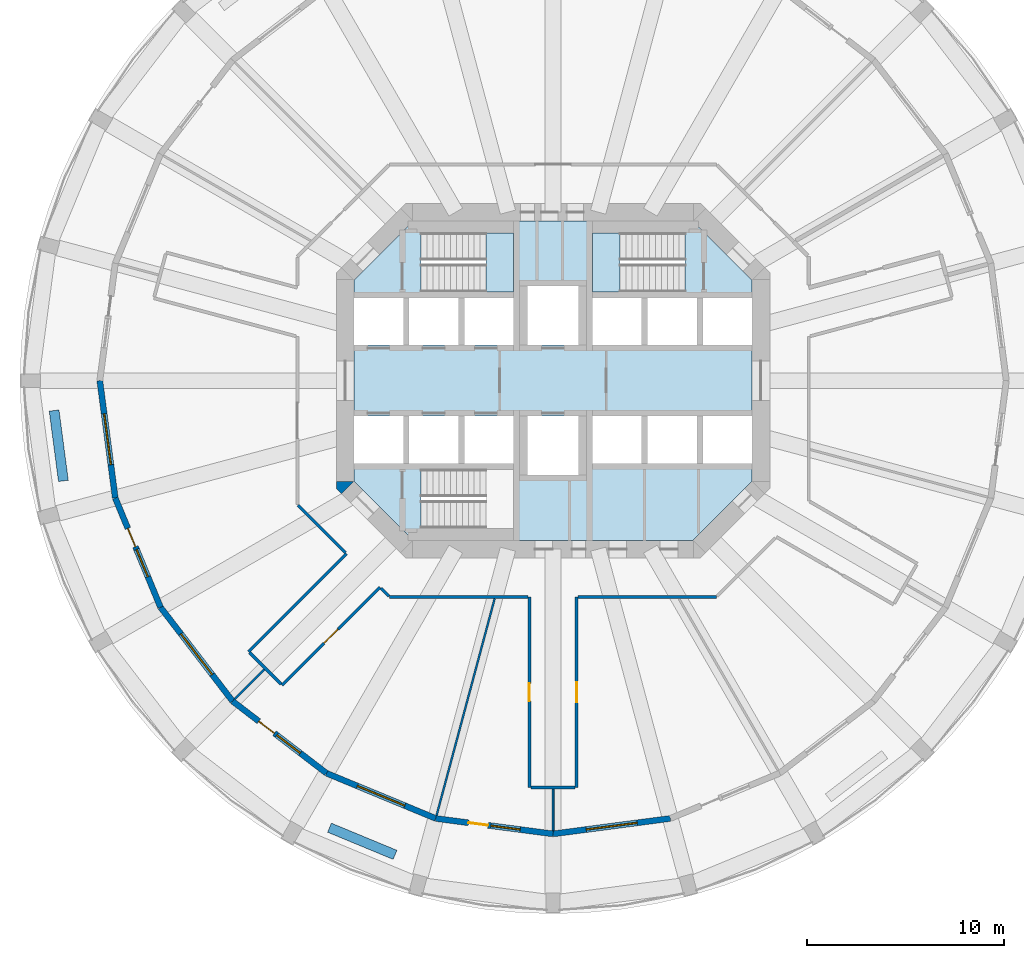
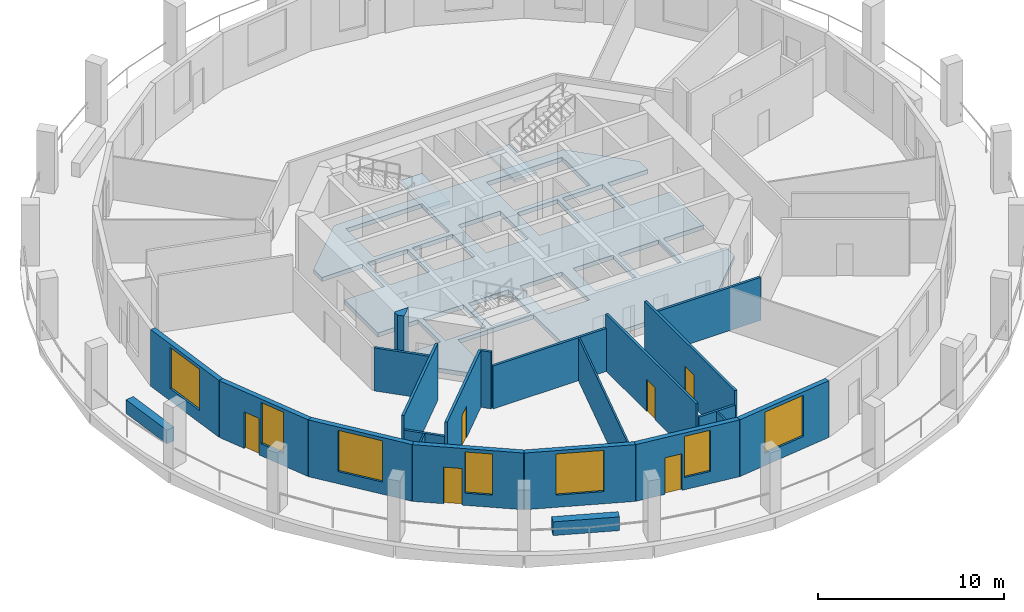
# One storey, part 2 of 9: 23 walls, 7 windows, 6 doors, 3 slabs, 13 openings, 2 elements without a shape of their own.
"""IFC4 building model written with IfcOpenShell, lengths in metres."""

from ifc_helpers import new_model, si_unit, direction, frame, frame_2d, origin, place, context, subcontext, project, spatial, polyline, rectangle, outline, extrude, material, layer, layer_set, type_object, element, fill, aggregate, save


model = new_model("IFC4")

# Units and contexts
model_context = context("Model", 3, precision=1e-05, world=origin(), true_north=direction((0.0, 1.0)))
body_context = subcontext(model_context, "Body", "Model", "MODEL_VIEW")
ifc_project = project(units=[si_unit("LENGTHUNIT", "METRE"), si_unit("AREAUNIT", "SQUARE_METRE"), si_unit("VOLUMEUNIT", "CUBIC_METRE"), si_unit("PLANEANGLEUNIT", "RADIAN"), si_unit("MASSUNIT", "GRAM", prefix="KILO")], contexts=[model_context])

# Site, building, storey
site_placement = place(None, origin())
site = spatial("IfcSite", under=ifc_project, at=site_placement, CompositionType="ELEMENT")
building_placement = place(site_placement, origin())
building = spatial("IfcBuilding", under=site, at=building_placement, Name="Torre Triforio", CompositionType="ELEMENT")
storey_placement = place(building_placement, frame((0.0, 0.0, 39.0)))
storey = spatial("IfcBuildingStorey", under=building, at=storey_placement, Name="L07", CompositionType="ELEMENT", Elevation=39.0)

# Slab
ifc_material_1 = material(Name="Concrete C60", Category="concrete")
ifc_layer_1 = layer(ifc_material_1, 0.280029296875)
ifc_layer_set_1 = layer_set([ifc_layer_1], Name="Concrete C60")
slab_type_1 = type_object("IfcSlabType", Name="Core floor slab 280 mm C60 REI 120", PredefinedType="FLOOR", material=ifc_layer_set_1)
slab_1_placement = place(storey_placement, frame((0.0, 0.0, -0.280029296875)))
element("IfcSlab", 1, at=slab_1_placement, inside=storey, type_object=slab_type_1, Name="Core floor slab", PredefinedType="FLOOR", context=body_context, shape_type="SweptSolid", body=[
    extrude(outline(polyline([(10.10009765625, -5.10009765625), (7.10009765625, -8.10009765625), (-7.10009765625, -8.10009765625), (-10.10009765625, -5.10009765625), (-10.10009765625, -4.199951171875), (-7.60009765625, -4.199951171875), (-7.60009765625, -1.800048828125), (-10.10009765625, -1.800048828125), (-10.10009765625, 1.800048828125), (-7.60009765625, 1.800048828125), (-7.60009765625, 4.199951171875), (-10.10009765625, 4.199951171875), (-10.10009765625, 5.10009765625), (-7.10009765625, 8.10009765625), (7.10009765625, 8.10009765625), (10.10009765625, 5.10009765625), (10.10009765625, 4.199951171875), (7.60009765625, 4.199951171875), (7.60009765625, 1.800048828125), (10.10009765625, 1.800048828125), (10.10009765625, -1.800048828125), (7.60009765625, -1.800048828125), (7.60009765625, -4.199951171875), (10.10009765625, -4.199951171875), (10.10009765625, -5.10009765625)]), holes=[polyline([(-2.0, -4.5), (-6.696044921875, -4.5), (-6.696044921875, -7.5), (-2.0, -7.5), (-2.0, -4.5)]), polyline([(-4.800048828125, -1.800048828125), (-7.300048828125, -1.800048828125), (-7.300048828125, -4.199951171875), (-4.800048828125, -4.199951171875), (-4.800048828125, -1.800048828125)]), polyline([(-2.0, -1.800048828125), (-4.5, -1.800048828125), (-4.5, -4.199951171875), (-2.0, -4.199951171875), (-2.0, -1.800048828125)]), polyline([(-4.800048828125, 4.199951171875), (-7.300048828125, 4.199951171875), (-7.300048828125, 1.800048828125), (-4.800048828125, 1.800048828125), (-4.800048828125, 4.199951171875)]), polyline([(-2.0, 4.199951171875), (-4.5, 4.199951171875), (-4.5, 1.800048828125), (-2.0, 1.800048828125), (-2.0, 4.199951171875)]), polyline([(1.300048828125, 4.800048828125), (-1.300048828125, 4.800048828125), (-1.300048828125, 1.800048828125), (1.300048828125, 1.800048828125), (1.300048828125, 4.800048828125)]), polyline([(-2.0, 7.5), (-6.696044921875, 7.5), (-6.696044921875, 4.5), (-2.0, 4.5), (-2.0, 7.5)]), polyline([(1.300048828125, -1.800048828125), (-1.300048828125, -1.800048828125), (-1.300048828125, -4.800048828125), (1.300048828125, -4.800048828125), (1.300048828125, -1.800048828125)]), polyline([(4.5, -1.800048828125), (2.0, -1.800048828125), (2.0, -4.199951171875), (4.5, -4.199951171875), (4.5, -1.800048828125)]), polyline([(7.300048828125, -1.800048828125), (4.800048828125, -1.800048828125), (4.800048828125, -4.199951171875), (7.300048828125, -4.199951171875), (7.300048828125, -1.800048828125)]), polyline([(4.5, 4.199951171875), (2.0, 4.199951171875), (2.0, 1.800048828125), (4.5, 1.800048828125), (4.5, 4.199951171875)]), polyline([(7.300048828125, 4.199951171875), (4.800048828125, 4.199951171875), (4.800048828125, 1.800048828125), (7.300048828125, 1.800048828125), (7.300048828125, 4.199951171875)]), polyline([(6.696044921875, 4.5), (6.696044921875, 7.5), (2.0, 7.5), (2.0, 4.5), (6.696044921875, 4.5)])]), origin(), (0.0, 0.0, 1.0), 0.280029296875),
])

# Stair, slab
ifc_material_2 = material(Name="Concrete C40", Category="concrete")
stair_type = type_object("IfcStairType", Name="STAIR HALF-TURN", PredefinedType="HALF_TURN_STAIR", material=ifc_material_2)
stair_1_placement = place(storey_placement, origin())
stair_1 = element("IfcStair", 2, at=stair_1_placement, inside=storey, type_object=stair_type, Name="Exit stair 1", PredefinedType="HALF_TURN_STAIR")
ifc_layer_2 = layer(ifc_material_2, 0.199951171875)
ifc_layer_set_2 = layer_set([ifc_layer_2], Name="Concrete C40")
slab_type_2 = type_object("IfcSlabType", Name="STAIR LANDING 200", PredefinedType="LANDING", material=ifc_layer_set_2)
slab_2_placement = place(storey_placement, frame((0.0, 0.0, 1.800048828125)))
slab_2 = element("IfcSlab", 3, at=slab_2_placement, type_object=slab_type_2, Name="ST1 landing 1", PredefinedType="LANDING", context=body_context, shape_type="SweptSolid", body=[
    extrude(outline(polyline([(-2.0, 4.5), (-2.0, 7.5), (-3.39990234375, 7.5), (-3.39990234375, 4.5), (-2.0, 4.5)])), origin(), (0.0, 0.0, 1.0), 0.199951171875),
])
aggregate(stair_1, [slab_2])

stair_2_placement = place(storey_placement, origin())
stair_2 = element("IfcStair", 4, at=stair_2_placement, inside=storey, type_object=stair_type, Name="Exit stair 2", PredefinedType="HALF_TURN_STAIR")
slab_3_placement = place(storey_placement, frame((0.0, 0.0, 1.800048828125)))
slab_3 = element("IfcSlab", 5, at=slab_3_placement, type_object=slab_type_2, Name="ST2 landing 1", PredefinedType="LANDING", context=body_context, shape_type="SweptSolid", body=[
    extrude(outline(polyline([(3.39990234375, 4.5), (3.39990234375, 7.5), (2.0, 7.5), (2.0, 4.5), (3.39990234375, 4.5)])), origin(), (0.0, 0.0, 1.0), 0.199951171875),
])
aggregate(stair_2, [slab_3])

# Walls
ifc_layer_3 = layer(ifc_material_1, 0.89990234375)
ifc_layer_set_3 = layer_set([ifc_layer_3], Name="Concrete C60")
wall_type_1 = type_object("IfcWallType", Name="Core wall 900 mm C60 EI 120", PredefinedType="SHEAR", material=ifc_layer_set_3)
wall_1_placement = place(storey_placement, frame((0.0, 0.0, -0.280029296875)))
element("IfcWall", 6, at=wall_1_placement, inside=storey, type_object=wall_type_1, Name="Core wall", PredefinedType="SHEAR", context=body_context, shape_type="SweptSolid", body=[
    extrude(outline(polyline([(-11.0, -5.472900390625), (-11.0, -5.1298828125), (-10.1298828125, -5.1298828125), (-10.736328125, -5.736328125), (-11.0, -5.472900390625)])), origin(), (0.0, 0.0, 1.0), 4.0),
])
ifc_material_3 = material(Name="Plasterboard on metal studs")
ifc_layer_4 = layer(ifc_material_3, 0.14990234375)
ifc_layer_set_4 = layer_set([ifc_layer_4], Name="Plasterboard on metal studs")
wall_type_2 = type_object("IfcWallType", Name="Corridor and tenancy wall 150 mm EI 60", PredefinedType="PARTITIONING", material=ifc_layer_set_4)
wall_2_placement = place(storey_placement, frame((8.291015625, -10.97509765625, 0.0), z_axis=(0.0, 0.0, 1.0), x_axis=(-1.0, 0.0, 0.0)))
element("IfcWall", 7, at=wall_2_placement, inside=storey, type_object=wall_type_2, Name="Partition 4", PredefinedType="PARTITIONING", context=body_context, shape_type="SweptSolid", body=[
    extrude(rectangle(XDim=7.01611328125, YDim=0.14990234375, at=frame_2d((3.508056640625, 0.0))), origin(), (0.0, 0.0, 1.0), 2.820068359375),
])

# Wall, opening, door
wall_3_placement = place(storey_placement, frame((1.199951171875, -10.97509765625, 0.0), z_axis=(0.0, 0.0, 1.0), x_axis=(0.0, -1.0, 0.0)))
wall_3 = element("IfcWall", 8, at=wall_3_placement, inside=storey, type_object=wall_type_2, Name="Partition 5", PredefinedType="PARTITIONING", context=body_context, shape_type="SweptSolid", body=[
    extrude(rectangle(XDim=9.673583984375, YDim=0.14990234375, at=frame_2d((4.8369140625, 0.0))), origin(), (0.0, 0.0, 1.0), 3.719970703125),
])
opening_1_placement = place(wall_3_placement, frame((4.3369140625, 0.0, 0.0)))
opening_1 = element("IfcOpeningElement", 9, at=opening_1_placement, cuts=wall_3, Name="Opening N2-07", PredefinedType="OPENING", context=body_context, shape_type="SweptSolid", body=[
    extrude(rectangle(XDim=1.0, YDim=2.10009765625, at=frame_2d((0.5, 1.050048828125))), frame((0.0, 0.0849609375, 0.0), z_axis=(0.0, -1.0, 0.0), x_axis=(1.0, 0.0, 0.0)), (0.0, 0.0, 1.0), 0.169921875),
])
ifc_material_4 = material(Name="Timber", Category="wood")
door_type_1 = type_object("IfcDoorType", Name="Door 1000 x 2100 single leaf EI 30", OperationType="NOTDEFINED", PredefinedType="DOOR", material=ifc_material_4)
door_1_placement = place(opening_1_placement, origin())
door_1 = element("IfcDoor", 10, at=door_1_placement, inside=storey, type_object=door_type_1, Name="Door N2-07", OperationType="SINGLE_SWING_RIGHT", OverallHeight=2.10009765625, OverallWidth=1.0, PredefinedType="DOOR", context=body_context, shape_type="SweptSolid", body=[
    extrude(rectangle(XDim=1.0, YDim=2.10009765625, at=frame_2d((0.5, 1.050048828125))), frame((0.0, 0.02490234375, 0.0), z_axis=(0.0, -1.0, 0.0), x_axis=(1.0, 0.0, 0.0)), (0.0, 0.0, 1.0), 0.050048828125),
])
fill(opening_1, door_1)

# Wall
wall_4_placement = place(storey_placement, frame((1.125, -20.648681640625, 0.0), z_axis=(0.0, 0.0, 1.0), x_axis=(-1.0, 0.0, 0.0)))
element("IfcWall", 11, at=wall_4_placement, inside=storey, type_object=wall_type_2, Name="Partition 6", PredefinedType="PARTITIONING", context=body_context, shape_type="SweptSolid", body=[
    extrude(rectangle(XDim=2.25, YDim=0.14990234375, at=frame_2d((1.125, 0.0))), origin(), (0.0, 0.0, 1.0), 2.820068359375),
])

# Wall, opening, door
wall_5_placement = place(storey_placement, frame((-1.199951171875, -20.648681640625, 0.0), z_axis=(0.0, 0.0, 1.0), x_axis=(0.0, 1.0, 0.0)))
wall_5 = element("IfcWall", 12, at=wall_5_placement, inside=storey, type_object=wall_type_2, Name="Partition 7", PredefinedType="PARTITIONING", context=body_context, shape_type="SweptSolid", body=[
    extrude(rectangle(XDim=9.673583984375, YDim=0.14990234375, at=frame_2d((4.8369140625, 0.0))), origin(), (0.0, 0.0, 1.0), 3.719970703125),
])
opening_2_placement = place(wall_5_placement, frame((4.386962890625, 0.0, 0.0)))
opening_2 = element("IfcOpeningElement", 13, at=opening_2_placement, cuts=wall_5, Name="Opening N2-06", PredefinedType="OPENING", context=body_context, shape_type="SweptSolid", body=[
    extrude(rectangle(XDim=0.89990234375, YDim=2.10009765625, at=frame_2d((0.449951171875, 1.050048828125))), frame((0.0, 0.0849609375, 0.0), z_axis=(0.0, -1.0, 0.0), x_axis=(1.0, 0.0, 0.0)), (0.0, 0.0, 1.0), 0.169921875),
])
door_type_2 = type_object("IfcDoorType", Name="Door 900 x 2100 single leaf EI 30", OperationType="NOTDEFINED", PredefinedType="DOOR", material=ifc_material_4)
door_2_placement = place(opening_2_placement, origin())
door_2 = element("IfcDoor", 14, at=door_2_placement, inside=storey, type_object=door_type_2, Name="Door N2-06", OperationType="SINGLE_SWING_RIGHT", OverallHeight=2.10009765625, OverallWidth=0.89990234375, PredefinedType="DOOR", context=body_context, shape_type="SweptSolid", body=[
    extrude(rectangle(XDim=0.89990234375, YDim=2.10009765625, at=frame_2d((0.449951171875, 1.050048828125))), frame((0.0, 0.02490234375, 0.0), z_axis=(0.0, -1.0, 0.0), x_axis=(1.0, 0.0, 0.0)), (0.0, 0.0, 1.0), 0.050048828125),
])
fill(opening_2, door_2)

# Walls
wall_6_placement = place(storey_placement, frame((-1.27490234375, -10.97509765625, 0.0), z_axis=(0.0, 0.0, 1.0), x_axis=(-1.0, 0.0, 0.0)))
element("IfcWall", 15, at=wall_6_placement, inside=storey, type_object=wall_type_2, Name="Partition 8", PredefinedType="PARTITIONING", context=body_context, shape_type="SweptSolid", body=[
    extrude(rectangle(XDim=7.01611328125, YDim=0.14990234375, at=frame_2d((3.508056640625, 0.0))), origin(), (0.0, 0.0, 1.0), 2.820068359375),
])
wall_7_placement = place(storey_placement, frame((-8.327880859375, -10.93798828125, 0.0), z_axis=(0.0, 0.0, 1.0), x_axis=(-0.707106781187, 0.707106781187, 0.0)))
element("IfcWall", 16, at=wall_7_placement, inside=storey, type_object=wall_type_2, Name="Partition 9", PredefinedType="PARTITIONING", context=body_context, shape_type="SweptSolid", body=[
    extrude(rectangle(XDim=0.57080078125, YDim=0.14990234375, at=frame_2d((0.285400390625, 0.0))), origin(), (0.0, 0.0, 1.0), 3.719970703125),
])

# Wall, opening, door
wall_8_placement = place(storey_placement, frame((-8.784423828125, -10.4814453125, 0.0), z_axis=(0.0, 0.0, 1.0), x_axis=(-0.707089406061, -0.707124155885, 0.0)))
wall_8 = element("IfcWall", 17, at=wall_8_placement, inside=storey, type_object=wall_type_2, Name="Partition 10", PredefinedType="PARTITIONING", context=body_context, shape_type="SweptSolid", body=[
    extrude(rectangle(XDim=7.025634765625, YDim=0.14990234375, at=frame_2d((3.5126953125, 0.0))), origin(), (0.0, 0.0, 1.0), 3.719970703125),
])
opening_3_placement = place(wall_8_placement, frame((3.0126953125, 0.0, 0.0)))
opening_3 = element("IfcOpeningElement", 18, at=opening_3_placement, cuts=wall_8, Name="Opening N2-05", PredefinedType="OPENING", context=body_context, shape_type="SweptSolid", body=[
    extrude(rectangle(XDim=1.0, YDim=2.10009765625, at=frame_2d((0.5, 1.050048828125))), frame((0.0, 0.0849609375, 0.0), z_axis=(0.0, -1.0, 0.0), x_axis=(1.0, 0.0, 0.0)), (0.0, 0.0, 1.0), 0.169921875),
])
door_3_placement = place(opening_3_placement, origin())
door_3 = element("IfcDoor", 19, at=door_3_placement, inside=storey, type_object=door_type_1, Name="Door N2-05", OperationType="SINGLE_SWING_RIGHT", OverallHeight=2.10009765625, OverallWidth=1.0, PredefinedType="DOOR", context=body_context, shape_type="SweptSolid", body=[
    extrude(rectangle(XDim=1.0, YDim=2.10009765625, at=frame_2d((0.5, 1.050048828125))), frame((0.0, 0.02490234375, 0.0), z_axis=(0.0, -1.0, 0.0), x_axis=(1.0, 0.0, 0.0)), (0.0, 0.0, 1.0), 0.050048828125),
])
fill(opening_3, door_3)

# Walls
wall_9_placement = place(storey_placement, frame((-13.805419921875, -15.396240234375, 0.0), z_axis=(0.0, 0.0, 1.0), x_axis=(-0.707106781187, 0.707106781187, 0.0)))
element("IfcWall", 20, at=wall_9_placement, inside=storey, type_object=wall_type_2, Name="Partition 11", PredefinedType="PARTITIONING", context=body_context, shape_type="SweptSolid", body=[
    extrude(rectangle(XDim=2.249755859375, YDim=0.14990234375, at=frame_2d((1.125, 0.0))), origin(), (0.0, 0.0, 1.0), 2.820068359375),
])
wall_10_placement = place(storey_placement, frame((-15.449462890625, -13.752197265625, 0.0), z_axis=(0.0, 0.0, 1.0), x_axis=(0.707124155885, 0.707089406061, 0.0)))
element("IfcWall", 21, at=wall_10_placement, inside=storey, type_object=wall_type_2, Name="Partition 12", PredefinedType="PARTITIONING", context=body_context, shape_type="SweptSolid", body=[
    extrude(rectangle(XDim=7.025634765625, YDim=0.14990234375, at=frame_2d((3.5126953125, 0.0))), origin(), (0.0, 0.0, 1.0), 3.719970703125),
])
wall_11_placement = place(storey_placement, frame((-10.534423828125, -8.7314453125, 0.0), z_axis=(0.0, 0.0, 1.0), x_axis=(-0.707106781187, 0.707106781187, 0.0)))
element("IfcWall", 22, at=wall_11_placement, inside=storey, type_object=wall_type_2, Name="Partition 13", PredefinedType="PARTITIONING", context=body_context, shape_type="SweptSolid", body=[
    extrude(rectangle(XDim=3.399169921875, YDim=0.14990234375, at=frame_2d((1.69970703125, 0.0))), origin(), (0.0, 0.0, 1.0), 2.820068359375),
])
ifc_layer_5 = layer(ifc_material_3, 0.10009765625)
ifc_layer_set_5 = layer_set([ifc_layer_5], Name="Plasterboard on metal studs")
wall_type_3 = type_object("IfcWallType", Name="Partition 100 mm board on metal studs", PredefinedType="PARTITIONING", material=ifc_layer_set_5)
wall_12_placement = place(storey_placement, frame((-14.65380859375, -14.65380859375, 0.0), z_axis=(0.0, 0.0, 1.0), x_axis=(-0.707106781187, -0.707106781187, 0.0)))
element("IfcWall", 23, at=wall_12_placement, inside=storey, type_object=wall_type_3, Name="Partition 36", PredefinedType="PARTITIONING", context=body_context, shape_type="SweptSolid", body=[
    extrude(rectangle(XDim=2.113037109375, YDim=0.10009765625, at=frame_2d((1.056640625, 0.0))), origin(), (0.0, 0.0, 1.0), 2.820068359375),
])
wall_13_placement = place(storey_placement, frame((-2.964599609375, -11.064208984375, 0.0), z_axis=(0.0, 0.0, 1.0), x_axis=(-0.258827930947, -0.965923445291, 0.0)))
element("IfcWall", 24, at=wall_13_placement, inside=storey, type_object=wall_type_3, Name="Partition 37", PredefinedType="PARTITIONING", context=body_context, shape_type="SweptSolid", body=[
    extrude(rectangle(XDim=11.38232421875, YDim=0.10009765625, at=frame_2d((5.691162109375, 0.0))), origin(), (0.0, 0.0, 1.0), 2.820068359375),
])
wall_14_placement = place(storey_placement, frame((0.0, -20.7236328125, 0.0), z_axis=(0.0, 0.0, 1.0), x_axis=(0.0, -1.0, 0.0)))
element("IfcWall", 25, at=wall_14_placement, inside=storey, type_object=wall_type_3, Name="Partition 38", PredefinedType="PARTITIONING", context=body_context, shape_type="SweptSolid", body=[
    extrude(rectangle(XDim=2.113037109375, YDim=0.10009765625, at=frame_2d((1.056640625, 0.0))), origin(), (0.0, 0.0, 1.0), 2.820068359375),
])
ifc_material_5 = material(Name="Limestone cladding", Category="masonry")
ifc_layer_6 = layer(ifc_material_5, 0.10009765625)
ifc_layer_7 = layer(ifc_material_2, 0.39990234375)
ifc_layer_set_6 = layer_set([ifc_layer_6, ifc_layer_7], Name="Limestone cladding / Concrete C40")
wall_type_4 = type_object("IfcWallType", Name="Planter wall 500", PredefinedType="PARAPET", material=ifc_layer_set_6)
for number, where, z_axis, x_axis, name in (
    (26, (-25.318603515625, -1.517578125, 0.0), (0.0, 0.0, 1.0), (0.130542222659, -0.991442750795, 0.0), "Planter L07 bay 13"),
    (27, (-11.344970703125, -22.685302734375, 0.0), (0.0, 0.0, 1.0), (0.923885420167, -0.382669217998, 0.0), "Planter L07 bay 17"),
):
    element("IfcWall", number, at=place(storey_placement, frame(where, z_axis=z_axis, x_axis=x_axis)), inside=storey, type_object=wall_type_4, Name=name, PredefinedType="PARAPET", context=body_context, shape_type="SweptSolid", body=[
        extrude(rectangle(XDim=3.60009765625, YDim=0.5, at=frame_2d((1.800048828125, 0.0))), origin(), (0.0, 0.0, 1.0), 0.89990234375),
    ])

# Wall, opening, window
ifc_layer_8 = layer(ifc_material_5, 0.10009765625)
ifc_layer_9 = layer(ifc_material_2, 0.199951171875)
ifc_layer_set_7 = layer_set([ifc_layer_8, ifc_layer_9], Name="Limestone cladding / Concrete C40")
wall_type_5 = type_object("IfcWallType", Name="Stone-faced composite wall 300", PredefinedType="STANDARD", material=ifc_layer_set_7)
wall_15_placement = place(storey_placement, frame((-23.0, 0.0, 0.0), z_axis=(0.0, 0.0, 1.0), x_axis=(0.130522880875, -0.991445297315, 0.0)))
wall_15 = element("IfcWall", 28, at=wall_15_placement, inside=storey, type_object=wall_type_5, Name="External wall L07 bay 13", PredefinedType="STANDARD", context=body_context, shape_type="SweptSolid", body=[
    extrude(rectangle(XDim=6.004150390625, YDim=0.300048828125, at=frame_2d((3.001953125, 0.0))), origin(), (0.0, 0.0, 1.0), 3.719970703125),
])
opening_4_placement = place(wall_15_placement, frame((1.7021484375, 0.0, 0.800048828125)))
opening_4 = element("IfcOpeningElement", 29, at=opening_4_placement, cuts=wall_15, Name="Opening N2-W13", PredefinedType="OPENING", context=body_context, shape_type="SweptSolid", body=[
    extrude(rectangle(XDim=2.60009765625, YDim=2.699951171875, at=frame_2d((1.300048828125, 1.35009765625))), frame((0.0, 0.159912109375, 0.0), z_axis=(0.0, -1.0, 0.0), x_axis=(1.0, 0.0, 0.0)), (0.0, 0.0, 1.0), 0.320068359375),
])
ifc_material_6 = material(Name="Aluminium frame with clear double glazing", Category="aluminium")
window_type_1 = type_object("IfcWindowType", Name="Punched window 2600 x 2700", PartitioningType="DOUBLE_PANEL_VERTICAL", PredefinedType="WINDOW", material=ifc_material_6)
window_1_placement = place(opening_4_placement, origin())
window_1 = element("IfcWindow", 30, at=window_1_placement, inside=storey, type_object=window_type_1, Name="Window EWN2 L07 bay 13", OverallHeight=2.699951171875, OverallWidth=2.60009765625, PartitioningType="SINGLE_PANEL", PredefinedType="WINDOW", context=body_context, shape_type="SweptSolid", body=[
    extrude(rectangle(XDim=2.60009765625, YDim=2.699951171875, at=frame_2d((1.300048828125, 1.35009765625))), frame((0.0, 0.030029296875, 0.0), z_axis=(0.0, -1.0, 0.0), x_axis=(1.0, 0.0, 0.0)), (0.0, 0.0, 1.0), 0.06005859375),
])
fill(opening_4, window_1)

# Wall, openings, door, window
wall_16_placement = place(storey_placement, frame((-22.21630859375, -5.952880859375, 0.0), z_axis=(0.0, 0.0, 1.0), x_axis=(0.382671411433, -0.923884511653, 0.0)))
wall_16 = element("IfcWall", 31, at=wall_16_placement, inside=storey, type_object=wall_type_5, Name="External wall L07 bay 14", PredefinedType="STANDARD", context=body_context, shape_type="SweptSolid", body=[
    extrude(rectangle(XDim=6.004150390625, YDim=0.300048828125, at=frame_2d((3.001953125, 0.0))), origin(), (0.0, 0.0, 1.0), 3.719970703125),
])
opening_5_placement = place(wall_16_placement, frame((1.677001953125, 0.0, 0.0)))
opening_5 = element("IfcOpeningElement", 32, at=opening_5_placement, cuts=wall_16, Name="Opening N2-D14", PredefinedType="OPENING", context=body_context, shape_type="SweptSolid", body=[
    extrude(rectangle(XDim=1.0, YDim=2.39990234375, at=frame_2d((0.5, 1.199951171875))), frame((0.0, 0.159912109375, 0.0), z_axis=(0.0, -1.0, 0.0), x_axis=(1.0, 0.0, 0.0)), (0.0, 0.0, 1.0), 0.320068359375),
])
opening_6_placement = place(wall_16_placement, frame((2.8271484375, 0.0, 0.800048828125)))
opening_6 = element("IfcOpeningElement", 33, at=opening_6_placement, cuts=wall_16, Name="Opening N2-W14A", PredefinedType="OPENING", context=body_context, shape_type="SweptSolid", body=[
    extrude(rectangle(XDim=1.5, YDim=2.699951171875, at=frame_2d((0.75, 1.35009765625))), frame((0.0, 0.159912109375, 0.0), z_axis=(0.0, -1.0, 0.0), x_axis=(1.0, 0.0, 0.0)), (0.0, 0.0, 1.0), 0.320068359375),
])
door_type_3 = type_object("IfcDoorType", Name="Loggia door 1000 x 2400", OperationType="NOTDEFINED", PredefinedType="DOOR", material=ifc_material_6)
door_4_placement = place(opening_5_placement, origin())
door_4 = element("IfcDoor", 34, at=door_4_placement, inside=storey, type_object=door_type_3, Name="Loggia door L07 bay 14", OperationType="SINGLE_SWING_LEFT", OverallHeight=2.39990234375, OverallWidth=1.0, PredefinedType="DOOR", context=body_context, shape_type="SweptSolid", body=[
    extrude(rectangle(XDim=1.0, YDim=2.39990234375, at=frame_2d((0.5, 1.199951171875))), frame((0.0, 0.02490234375, 0.0), z_axis=(0.0, -1.0, 0.0), x_axis=(1.0, 0.0, 0.0)), (0.0, 0.0, 1.0), 0.050048828125),
])
fill(opening_5, door_4)
window_type_2 = type_object("IfcWindowType", Name="Side window 1500 x 2700", PartitioningType="SINGLE_PANEL", PredefinedType="WINDOW", material=ifc_material_6)
window_2_placement = place(opening_6_placement, origin())
window_2 = element("IfcWindow", 35, at=window_2_placement, inside=storey, type_object=window_type_2, Name="Side window EWN12 L07 bay 14", OverallHeight=2.699951171875, OverallWidth=1.5, PartitioningType="SINGLE_PANEL", PredefinedType="WINDOW", context=body_context, shape_type="SweptSolid", body=[
    extrude(rectangle(XDim=1.5, YDim=2.699951171875, at=frame_2d((0.75, 1.35009765625))), frame((0.0, 0.030029296875, 0.0), z_axis=(0.0, -1.0, 0.0), x_axis=(1.0, 0.0, 0.0)), (0.0, 0.0, 1.0), 0.06005859375),
])
fill(opening_6, window_2)

# Wall, opening, window
wall_17_placement = place(storey_placement, frame((-19.918701171875, -11.5, 0.0), z_axis=(0.0, 0.0, 1.0), x_axis=(0.608778912074, -0.793339924758, 0.0)))
wall_17 = element("IfcWall", 36, at=wall_17_placement, inside=storey, type_object=wall_type_5, Name="External wall L07 bay 15", PredefinedType="STANDARD", context=body_context, shape_type="SweptSolid", body=[
    extrude(rectangle(XDim=6.004150390625, YDim=0.300048828125, at=frame_2d((3.001953125, 0.0))), origin(), (0.0, 0.0, 1.0), 3.719970703125),
])
opening_7_placement = place(wall_17_placement, frame((1.7021484375, 0.0, 0.800048828125)))
opening_7 = element("IfcOpeningElement", 37, at=opening_7_placement, cuts=wall_17, Name="Opening N2-W15", PredefinedType="OPENING", context=body_context, shape_type="SweptSolid", body=[
    extrude(rectangle(XDim=2.60009765625, YDim=2.699951171875, at=frame_2d((1.300048828125, 1.35009765625))), frame((0.0, 0.159912109375, 0.0), z_axis=(0.0, -1.0, 0.0), x_axis=(1.0, 0.0, 0.0)), (0.0, 0.0, 1.0), 0.320068359375),
])
window_3_placement = place(opening_7_placement, origin())
window_3 = element("IfcWindow", 38, at=window_3_placement, inside=storey, type_object=window_type_1, Name="Window EWN2 L07 bay 15", OverallHeight=2.699951171875, OverallWidth=2.60009765625, PartitioningType="SINGLE_PANEL", PredefinedType="WINDOW", context=body_context, shape_type="SweptSolid", body=[
    extrude(rectangle(XDim=2.60009765625, YDim=2.699951171875, at=frame_2d((1.300048828125, 1.35009765625))), frame((0.0, 0.030029296875, 0.0), z_axis=(0.0, -1.0, 0.0), x_axis=(1.0, 0.0, 0.0)), (0.0, 0.0, 1.0), 0.06005859375),
])
fill(opening_7, window_3)

# Wall, openings, door, window
wall_18_placement = place(storey_placement, frame((-16.263427734375, -16.263427734375, 0.0), z_axis=(0.0, 0.0, 1.0), x_axis=(0.793339924758, -0.608778912074, 0.0)))
wall_18 = element("IfcWall", 39, at=wall_18_placement, inside=storey, type_object=wall_type_5, Name="External wall L07 bay 16", PredefinedType="STANDARD", context=body_context, shape_type="SweptSolid", body=[
    extrude(rectangle(XDim=6.004150390625, YDim=0.300048828125, at=frame_2d((3.001953125, 0.0))), origin(), (0.0, 0.0, 1.0), 3.719970703125),
])
opening_8_placement = place(wall_18_placement, frame((1.677001953125, 0.0, 0.0)))
opening_8 = element("IfcOpeningElement", 40, at=opening_8_placement, cuts=wall_18, Name="Opening N2-D16", PredefinedType="OPENING", context=body_context, shape_type="SweptSolid", body=[
    extrude(rectangle(XDim=1.0, YDim=2.39990234375, at=frame_2d((0.5, 1.199951171875))), frame((0.0, 0.159912109375, 0.0), z_axis=(0.0, -1.0, 0.0), x_axis=(1.0, 0.0, 0.0)), (0.0, 0.0, 1.0), 0.320068359375),
])
opening_9_placement = place(wall_18_placement, frame((2.8271484375, 0.0, 0.800048828125)))
opening_9 = element("IfcOpeningElement", 41, at=opening_9_placement, cuts=wall_18, Name="Opening N2-W16A", PredefinedType="OPENING", context=body_context, shape_type="SweptSolid", body=[
    extrude(rectangle(XDim=1.5, YDim=2.699951171875, at=frame_2d((0.75, 1.35009765625))), frame((0.0, 0.159912109375, 0.0), z_axis=(0.0, -1.0, 0.0), x_axis=(1.0, 0.0, 0.0)), (0.0, 0.0, 1.0), 0.320068359375),
])
door_5_placement = place(opening_8_placement, origin())
door_5 = element("IfcDoor", 42, at=door_5_placement, inside=storey, type_object=door_type_3, Name="Loggia door L07 bay 16", OperationType="SINGLE_SWING_LEFT", OverallHeight=2.39990234375, OverallWidth=1.0, PredefinedType="DOOR", context=body_context, shape_type="SweptSolid", body=[
    extrude(rectangle(XDim=1.0, YDim=2.39990234375, at=frame_2d((0.5, 1.199951171875))), frame((0.0, 0.02490234375, 0.0), z_axis=(0.0, -1.0, 0.0), x_axis=(1.0, 0.0, 0.0)), (0.0, 0.0, 1.0), 0.050048828125),
])
fill(opening_8, door_5)
window_4_placement = place(opening_9_placement, origin())
window_4 = element("IfcWindow", 43, at=window_4_placement, inside=storey, type_object=window_type_2, Name="Side window EWN12 L07 bay 16", OverallHeight=2.699951171875, OverallWidth=1.5, PartitioningType="SINGLE_PANEL", PredefinedType="WINDOW", context=body_context, shape_type="SweptSolid", body=[
    extrude(rectangle(XDim=1.5, YDim=2.699951171875, at=frame_2d((0.75, 1.35009765625))), frame((0.0, 0.030029296875, 0.0), z_axis=(0.0, -1.0, 0.0), x_axis=(1.0, 0.0, 0.0)), (0.0, 0.0, 1.0), 0.06005859375),
])
fill(opening_9, window_4)

# Wall, opening, window
wall_19_placement = place(storey_placement, frame((-11.5, -19.918701171875, 0.0), z_axis=(0.0, 0.0, 1.0), x_axis=(0.923884511653, -0.382671411433, 0.0)))
wall_19 = element("IfcWall", 44, at=wall_19_placement, inside=storey, type_object=wall_type_5, Name="External wall L07 bay 17", PredefinedType="STANDARD", context=body_context, shape_type="SweptSolid", body=[
    extrude(rectangle(XDim=6.004150390625, YDim=0.300048828125, at=frame_2d((3.001953125, 0.0))), origin(), (0.0, 0.0, 1.0), 3.719970703125),
])
opening_10_placement = place(wall_19_placement, frame((1.7021484375, 0.0, 0.800048828125)))
opening_10 = element("IfcOpeningElement", 45, at=opening_10_placement, cuts=wall_19, Name="Opening N2-W17", PredefinedType="OPENING", context=body_context, shape_type="SweptSolid", body=[
    extrude(rectangle(XDim=2.60009765625, YDim=2.699951171875, at=frame_2d((1.300048828125, 1.35009765625))), frame((0.0, 0.159912109375, 0.0), z_axis=(0.0, -1.0, 0.0), x_axis=(1.0, 0.0, 0.0)), (0.0, 0.0, 1.0), 0.320068359375),
])
window_5_placement = place(opening_10_placement, origin())
window_5 = element("IfcWindow", 46, at=window_5_placement, inside=storey, type_object=window_type_1, Name="Window EWN2 L07 bay 17", OverallHeight=2.699951171875, OverallWidth=2.60009765625, PartitioningType="SINGLE_PANEL", PredefinedType="WINDOW", context=body_context, shape_type="SweptSolid", body=[
    extrude(rectangle(XDim=2.60009765625, YDim=2.699951171875, at=frame_2d((1.300048828125, 1.35009765625))), frame((0.0, 0.030029296875, 0.0), z_axis=(0.0, -1.0, 0.0), x_axis=(1.0, 0.0, 0.0)), (0.0, 0.0, 1.0), 0.06005859375),
])
fill(opening_10, window_5)

# Wall, openings, door, window
wall_20_placement = place(storey_placement, frame((-5.952880859375, -22.21630859375, 0.0), z_axis=(0.0, 0.0, 1.0), x_axis=(0.991445297315, -0.130522880875, 0.0)))
wall_20 = element("IfcWall", 47, at=wall_20_placement, inside=storey, type_object=wall_type_5, Name="External wall L07 bay 18", PredefinedType="STANDARD", context=body_context, shape_type="SweptSolid", body=[
    extrude(rectangle(XDim=6.004150390625, YDim=0.300048828125, at=frame_2d((3.001953125, 0.0))), origin(), (0.0, 0.0, 1.0), 3.719970703125),
])
opening_11_placement = place(wall_20_placement, frame((1.677001953125, 0.0, 0.0)))
opening_11 = element("IfcOpeningElement", 48, at=opening_11_placement, cuts=wall_20, Name="Opening N2-D18", PredefinedType="OPENING", context=body_context, shape_type="SweptSolid", body=[
    extrude(rectangle(XDim=1.0, YDim=2.39990234375, at=frame_2d((0.5, 1.199951171875))), frame((0.0, 0.159912109375, 0.0), z_axis=(0.0, -1.0, 0.0), x_axis=(1.0, 0.0, 0.0)), (0.0, 0.0, 1.0), 0.320068359375),
])
opening_12_placement = place(wall_20_placement, frame((2.8271484375, 0.0, 0.800048828125)))
opening_12 = element("IfcOpeningElement", 49, at=opening_12_placement, cuts=wall_20, Name="Opening N2-W18A", PredefinedType="OPENING", context=body_context, shape_type="SweptSolid", body=[
    extrude(rectangle(XDim=1.5, YDim=2.699951171875, at=frame_2d((0.75, 1.35009765625))), frame((0.0, 0.159912109375, 0.0), z_axis=(0.0, -1.0, 0.0), x_axis=(1.0, 0.0, 0.0)), (0.0, 0.0, 1.0), 0.320068359375),
])
door_6_placement = place(opening_11_placement, origin())
door_6 = element("IfcDoor", 50, at=door_6_placement, inside=storey, type_object=door_type_3, Name="Loggia door L07 bay 18", OperationType="SINGLE_SWING_RIGHT", OverallHeight=2.39990234375, OverallWidth=1.0, PredefinedType="DOOR", context=body_context, shape_type="SweptSolid", body=[
    extrude(rectangle(XDim=1.0, YDim=2.39990234375, at=frame_2d((0.5, 1.199951171875))), frame((0.0, 0.02490234375, 0.0), z_axis=(0.0, -1.0, 0.0), x_axis=(1.0, 0.0, 0.0)), (0.0, 0.0, 1.0), 0.050048828125),
])
fill(opening_11, door_6)
window_6_placement = place(opening_12_placement, origin())
window_6 = element("IfcWindow", 51, at=window_6_placement, inside=storey, type_object=window_type_2, Name="Side window EWN12 L07 bay 18", OverallHeight=2.699951171875, OverallWidth=1.5, PartitioningType="SINGLE_PANEL", PredefinedType="WINDOW", context=body_context, shape_type="SweptSolid", body=[
    extrude(rectangle(XDim=1.5, YDim=2.699951171875, at=frame_2d((0.75, 1.35009765625))), frame((0.0, 0.030029296875, 0.0), z_axis=(0.0, -1.0, 0.0), x_axis=(1.0, 0.0, 0.0)), (0.0, 0.0, 1.0), 0.06005859375),
])
fill(opening_12, window_6)

# Wall, opening, window
wall_21_placement = place(storey_placement, frame((0.0, -23.0, 0.0), z_axis=(0.0, 0.0, 1.0), x_axis=(0.991445297315, 0.130522880875, 0.0)))
wall_21 = element("IfcWall", 52, at=wall_21_placement, inside=storey, type_object=wall_type_5, Name="External wall L07 bay 19", PredefinedType="STANDARD", context=body_context, shape_type="SweptSolid", body=[
    extrude(rectangle(XDim=6.004150390625, YDim=0.300048828125, at=frame_2d((3.001953125, 0.0))), origin(), (0.0, 0.0, 1.0), 3.719970703125),
])
opening_13_placement = place(wall_21_placement, frame((1.7021484375, 0.0, 0.800048828125)))
opening_13 = element("IfcOpeningElement", 53, at=opening_13_placement, cuts=wall_21, Name="Opening N2-W19", PredefinedType="OPENING", context=body_context, shape_type="SweptSolid", body=[
    extrude(rectangle(XDim=2.60009765625, YDim=2.699951171875, at=frame_2d((1.300048828125, 1.35009765625))), frame((0.0, 0.159912109375, 0.0), z_axis=(0.0, -1.0, 0.0), x_axis=(1.0, 0.0, 0.0)), (0.0, 0.0, 1.0), 0.320068359375),
])
window_7_placement = place(opening_13_placement, origin())
window_7 = element("IfcWindow", 54, at=window_7_placement, inside=storey, type_object=window_type_1, Name="Window EWN2 L07 bay 19", OverallHeight=2.699951171875, OverallWidth=2.60009765625, PartitioningType="SINGLE_PANEL", PredefinedType="WINDOW", context=body_context, shape_type="SweptSolid", body=[
    extrude(rectangle(XDim=2.60009765625, YDim=2.699951171875, at=frame_2d((1.300048828125, 1.35009765625))), frame((0.0, 0.030029296875, 0.0), z_axis=(0.0, -1.0, 0.0), x_axis=(1.0, 0.0, 0.0)), (0.0, 0.0, 1.0), 0.06005859375),
])
fill(opening_13, window_7)

save(model, "model.ifc")
